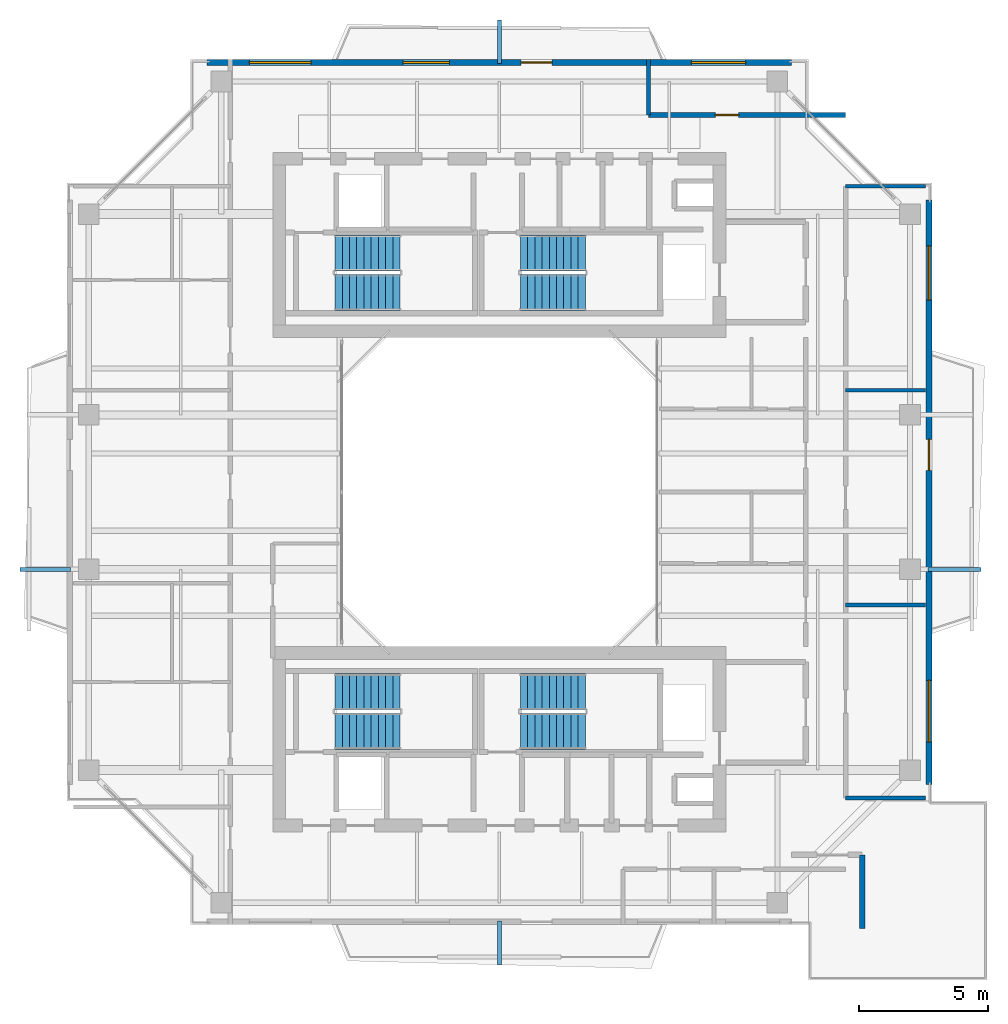
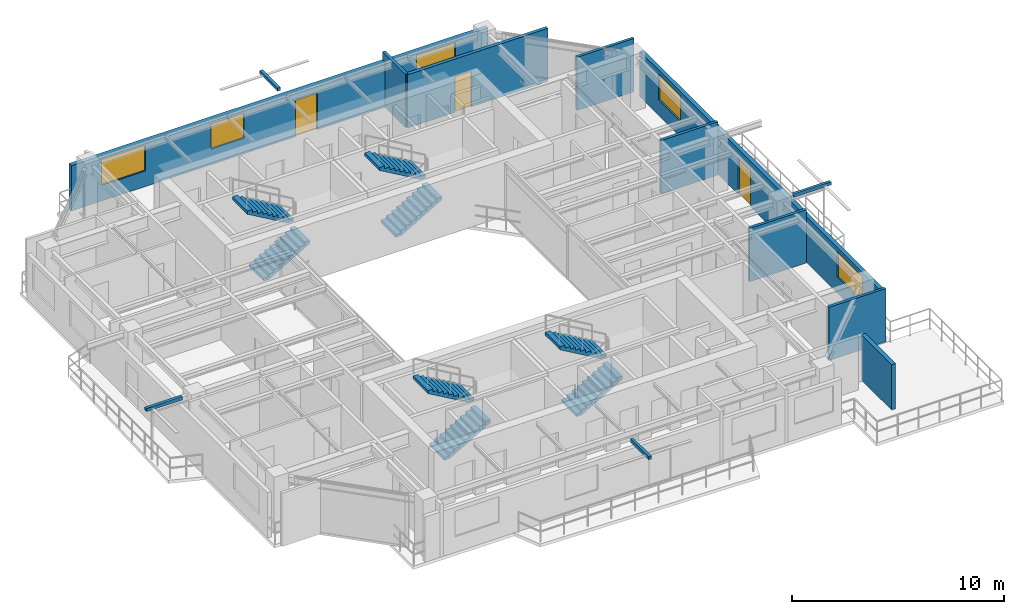
# One storey, part 13 of 16: 9 walls, 8 stair flights, 5 windows, 4 discrete accessories, 3 doors, 8 openings, 4 elements without a shape of their own.
"""IFC4 building model written with IfcOpenShell, lengths in metres."""

from ifc_helpers import new_model, si_unit, direction, frame, frame_2d, origin, origin_2d, place, context, subcontext, project, spatial, polyline, rectangle, outline, extrude, source, transform, mapped, material, layer, layer_set, type_object, element, fill, aggregate, save


model = new_model("IFC4")

# Units and contexts
model_context = context("Model", 3, precision=1e-05, world=origin(), true_north=direction((0.0, 1.0)))
body_context = subcontext(model_context, "Body", "Model", "MODEL_VIEW")
ifc_project = project(units=[si_unit("LENGTHUNIT", "METRE"), si_unit("AREAUNIT", "SQUARE_METRE"), si_unit("VOLUMEUNIT", "CUBIC_METRE"), si_unit("PLANEANGLEUNIT", "RADIAN"), si_unit("MASSUNIT", "GRAM", prefix="KILO"), si_unit("THERMODYNAMICTEMPERATUREUNIT", "KELVIN"), si_unit("POWERUNIT", "WATT")], contexts=[model_context])

# Site, building, storey
site_placement = place(None, origin())
site = spatial("IfcSite", under=ifc_project, at=site_placement, CompositionType="ELEMENT")
building_placement = place(site_placement, origin())
building = spatial("IfcBuilding", under=site, at=building_placement, Name="Qiaomeng Ring Towers", CompositionType="ELEMENT")
storey_placement = place(building_placement, frame((0.0, 0.0, 203.5)))
storey = spatial("IfcBuildingStorey", under=building, at=storey_placement, Name="L59", CompositionType="ELEMENT", Elevation=203.5)

# Wall, openings, windows, door
ifc_material_1 = material(Name="Precast concrete C40", Category="concrete")
ifc_layer_1 = layer(ifc_material_1, 0.219970703125, Name="Precast concrete C40")
ifc_layer_set_1 = layer_set([ifc_layer_1], Name="Precast concrete C40")
wall_type_1 = type_object("IfcWallType", Name="ARC-WL-EW2", PredefinedType="STANDARD", material=ifc_layer_set_1)
wall_1_placement = place(storey_placement, frame((7.64990234375, 39.68994140625, 0.0), z_axis=(0.0, 0.0, 1.0), x_axis=(1.0, 0.0, 0.0)))
wall_1 = element("IfcWall", 1, at=wall_1_placement, inside=storey, type_object=wall_type_1, Name="L59 Tower 1 N Exterior Wall", PredefinedType="STANDARD", context=body_context, shape_type="SweptSolid", body=[
    extrude(rectangle(XDim=22.7001953125, YDim=0.219970703125, at=frame_2d((11.35009765625, 0.0))), origin(), (0.0, 0.0, 1.0), 2.610107421875),
])
opening_1_placement = place(wall_1_placement, frame((12.199951171875, 0.0, 0.0)))
opening_1 = element("IfcOpeningElement", 2, at=opening_1_placement, cuts=wall_1, Name="Opening BD1", PredefinedType="OPENING", context=body_context, shape_type="SweptSolid", body=[
    extrude(rectangle(XDim=1.199951171875, YDim=2.10009765625, at=frame_2d((0.60009765625, 1.050048828125))), frame((0.0, 0.119873046875, 0.0), z_axis=(0.0, -1.0, 0.0), x_axis=(1.0, 0.0, 0.0)), (0.0, 0.0, 1.0), 0.239990234375),
])
opening_2_placement = place(wall_1_placement, frame((1.636962890625, 0.0, 0.89990234375)))
opening_2 = element("IfcOpeningElement", 3, at=opening_2_placement, cuts=wall_1, Name="Opening WN6", PredefinedType="OPENING", context=body_context, shape_type="SweptSolid", body=[
    extrude(rectangle(XDim=2.39990234375, YDim=1.47998046875, at=frame_2d((1.199951171875, 0.739990234375))), frame((0.0, 0.119873046875, 0.0), z_axis=(0.0, -1.0, 0.0), x_axis=(1.0, 0.0, 0.0)), (0.0, 0.0, 1.0), 0.239990234375),
])
opening_3_placement = place(wall_1_placement, frame((7.612060546875, 0.0, 0.89990234375)))
opening_3 = element("IfcOpeningElement", 4, at=opening_3_placement, cuts=wall_1, Name="Opening WN1", PredefinedType="OPENING", context=body_context, shape_type="SweptSolid", body=[
    extrude(rectangle(XDim=1.800048828125, YDim=1.449951171875, at=frame_2d((0.89990234375, 0.72509765625))), frame((0.0, 0.119873046875, 0.0), z_axis=(0.0, -1.0, 0.0), x_axis=(1.0, 0.0, 0.0)), (0.0, 0.0, 1.0), 0.239990234375),
])
opening_4_placement = place(wall_1_placement, frame((18.81201171875, 0.0, 0.89990234375)))
opening_4 = element("IfcOpeningElement", 5, at=opening_4_placement, cuts=wall_1, Name="Opening WN4", PredefinedType="OPENING", context=body_context, shape_type="SweptSolid", body=[
    extrude(rectangle(XDim=2.10009765625, YDim=1.47998046875, at=frame_2d((1.050048828125, 0.739990234375))), frame((0.0, 0.119873046875, 0.0), z_axis=(0.0, -1.0, 0.0), x_axis=(1.0, 0.0, 0.0)), (0.0, 0.0, 1.0), 0.239990234375),
])
ifc_material_2 = material(Name="Low-E dark-grey laminated double glazing", Category="glass")
window_type_1 = type_object("IfcWindowType", Name="ARC-WN-4", PartitioningType="TRIPLE_PANEL_VERTICAL", PredefinedType="WINDOW", material=ifc_material_2)
shared_shape_1 = source(origin(), body_context, "Body", "SweptSolid", [
    extrude(rectangle(XDim=2.10009765625, YDim=1.47998046875, at=frame_2d((1.050048828125, 0.739990234375))), frame((0.0, 0.030029296875, 0.0), z_axis=(0.0, -1.0, 0.0), x_axis=(1.0, 0.0, 0.0)), (0.0, 0.0, 1.0), 0.06005859375),
])
window_1_placement = place(opening_4_placement, origin())
window_1 = element("IfcWindow", 6, at=window_1_placement, inside=storey, type_object=window_type_1, Name="L59 Exterior Window WN4", OverallHeight=1.47998046875, OverallWidth=2.10009765625, PartitioningType="TRIPLE_PANEL_VERTICAL", PredefinedType="WINDOW", context=body_context, shape_type="MappedRepresentation", body=[
    mapped(shared_shape_1, transform((0.0, 0.0, 0.0), x_axis=(1.0, 0.0, 0.0), y_axis=(0.0, 1.0, 0.0), z_axis=(0.0, 0.0, 1.0), scale=1.0)),
])
fill(opening_4, window_1)
window_type_2 = type_object("IfcWindowType", Name="ARC-WN-1", PartitioningType="DOUBLE_PANEL_VERTICAL", PredefinedType="WINDOW", material=ifc_material_2)
shared_shape_2 = source(origin(), body_context, "Body", "SweptSolid", [
    extrude(rectangle(XDim=1.800048828125, YDim=1.449951171875, at=frame_2d((0.89990234375, 0.72509765625))), frame((0.0, 0.030029296875, 0.0), z_axis=(0.0, -1.0, 0.0), x_axis=(1.0, 0.0, 0.0)), (0.0, 0.0, 1.0), 0.06005859375),
])
window_2_placement = place(opening_3_placement, origin())
window_2 = element("IfcWindow", 7, at=window_2_placement, inside=storey, type_object=window_type_2, Name="L59 Exterior Window WN1", OverallHeight=1.449951171875, OverallWidth=1.800048828125, PartitioningType="DOUBLE_PANEL_VERTICAL", PredefinedType="WINDOW", context=body_context, shape_type="MappedRepresentation", body=[
    mapped(shared_shape_2, transform((0.0, 0.0, 0.0), x_axis=(1.0, 0.0, 0.0), y_axis=(0.0, 1.0, 0.0), z_axis=(0.0, 0.0, 1.0), scale=1.0)),
])
fill(opening_3, window_2)
window_type_3 = type_object("IfcWindowType", Name="ARC-WN-6", PartitioningType="TRIPLE_PANEL_VERTICAL", PredefinedType="WINDOW", material=ifc_material_2)
shared_shape_3 = source(origin(), body_context, "Body", "SweptSolid", [
    extrude(rectangle(XDim=2.39990234375, YDim=1.47998046875, at=frame_2d((1.199951171875, 0.739990234375))), frame((0.0, 0.030029296875, 0.0), z_axis=(0.0, -1.0, 0.0), x_axis=(1.0, 0.0, 0.0)), (0.0, 0.0, 1.0), 0.06005859375),
])
window_3_placement = place(opening_2_placement, origin())
window_3 = element("IfcWindow", 8, at=window_3_placement, inside=storey, type_object=window_type_3, Name="L59 Exterior Window WN6", OverallHeight=1.47998046875, OverallWidth=2.39990234375, PartitioningType="TRIPLE_PANEL_VERTICAL", PredefinedType="WINDOW", context=body_context, shape_type="MappedRepresentation", body=[
    mapped(shared_shape_3, transform((0.0, 0.0, 0.0), x_axis=(1.0, 0.0, 0.0), y_axis=(0.0, 1.0, 0.0), z_axis=(0.0, 0.0, 1.0), scale=1.0)),
])
fill(opening_2, window_3)
door_type_1 = type_object("IfcDoorType", Name="ARC-DR-BD1", OperationType="NOTDEFINED", PredefinedType="DOOR", material=ifc_material_2)
shared_shape_4 = source(origin(), body_context, "Body", "SweptSolid", [
    extrude(rectangle(XDim=1.199951171875, YDim=2.10009765625, at=frame_2d((0.60009765625, 1.050048828125))), frame((0.0, 0.02490234375, 0.0), z_axis=(0.0, -1.0, 0.0), x_axis=(1.0, 0.0, 0.0)), (0.0, 0.0, 1.0), 0.050048828125),
])
door_1_placement = place(opening_1_placement, origin())
door_1 = element("IfcDoor", 9, at=door_1_placement, inside=storey, type_object=door_type_1, Name="L59 N Balcony Glazed Door", OperationType="SINGLE_SWING_LEFT", OverallHeight=2.10009765625, OverallWidth=1.199951171875, PredefinedType="DOOR", context=body_context, shape_type="MappedRepresentation", body=[
    mapped(shared_shape_4, transform((0.0, 0.0, 0.0), x_axis=(1.0, 0.0, 0.0), y_axis=(0.0, 1.0, 0.0), z_axis=(0.0, 0.0, 1.0), scale=1.0)),
])
fill(opening_1, door_1)

wall_2_placement = place(storey_placement, frame((35.68994140625, 11.64990234375, 0.0), z_axis=(0.0, 0.0, 1.0), x_axis=(0.0, 1.0, 0.0)))
wall_2 = element("IfcWall", 10, at=wall_2_placement, inside=storey, type_object=wall_type_1, Name="L59 Tower 1 E Exterior Wall", PredefinedType="STANDARD", context=body_context, shape_type="SweptSolid", body=[
    extrude(rectangle(XDim=22.7001953125, YDim=0.219970703125, at=frame_2d((11.35009765625, 0.0))), origin(), (0.0, 0.0, 1.0), 2.610107421875),
])
opening_5_placement = place(wall_2_placement, frame((12.199951171875, 0.0, 0.0)))
opening_5 = element("IfcOpeningElement", 11, at=opening_5_placement, cuts=wall_2, Name="Opening BD1", PredefinedType="OPENING", context=body_context, shape_type="SweptSolid", body=[
    extrude(rectangle(XDim=1.199951171875, YDim=2.10009765625, at=frame_2d((0.60009765625, 1.050048828125))), frame((0.0, 0.119873046875, 0.0), z_axis=(0.0, -1.0, 0.0), x_axis=(1.0, 0.0, 0.0)), (0.0, 0.0, 1.0), 0.239990234375),
])
opening_6_placement = place(wall_2_placement, frame((1.637939453125, 0.0, 0.89990234375)))
opening_6 = element("IfcOpeningElement", 12, at=opening_6_placement, cuts=wall_2, Name="Opening WN6", PredefinedType="OPENING", context=body_context, shape_type="SweptSolid", body=[
    extrude(rectangle(XDim=2.39990234375, YDim=1.47998046875, at=frame_2d((1.199951171875, 0.739990234375))), frame((0.0, 0.119873046875, 0.0), z_axis=(0.0, -1.0, 0.0), x_axis=(1.0, 0.0, 0.0)), (0.0, 0.0, 1.0), 0.239990234375),
])
opening_7_placement = place(wall_2_placement, frame((18.81298828125, 0.0, 0.89990234375)))
opening_7 = element("IfcOpeningElement", 13, at=opening_7_placement, cuts=wall_2, Name="Opening WN4", PredefinedType="OPENING", context=body_context, shape_type="SweptSolid", body=[
    extrude(rectangle(XDim=2.10009765625, YDim=1.47998046875, at=frame_2d((1.050048828125, 0.739990234375))), frame((0.0, 0.119873046875, 0.0), z_axis=(0.0, -1.0, 0.0), x_axis=(1.0, 0.0, 0.0)), (0.0, 0.0, 1.0), 0.239990234375),
])
window_4_placement = place(opening_7_placement, origin())
window_4 = element("IfcWindow", 14, at=window_4_placement, inside=storey, type_object=window_type_1, Name="L59 Exterior Window WN4", OverallHeight=1.47998046875, OverallWidth=2.10009765625, PartitioningType="TRIPLE_PANEL_VERTICAL", PredefinedType="WINDOW", context=body_context, shape_type="MappedRepresentation", body=[
    mapped(shared_shape_1, transform((0.0, 0.0, 0.0), x_axis=(1.0, 0.0, 0.0), y_axis=(0.0, 1.0, 0.0), z_axis=(0.0, 0.0, 1.0), scale=1.0)),
])
fill(opening_7, window_4)
window_5_placement = place(opening_6_placement, origin())
window_5 = element("IfcWindow", 15, at=window_5_placement, inside=storey, type_object=window_type_3, Name="L59 Exterior Window WN6", OverallHeight=1.47998046875, OverallWidth=2.39990234375, PartitioningType="TRIPLE_PANEL_VERTICAL", PredefinedType="WINDOW", context=body_context, shape_type="MappedRepresentation", body=[
    mapped(shared_shape_3, transform((0.0, 0.0, 0.0), x_axis=(1.0, 0.0, 0.0), y_axis=(0.0, 1.0, 0.0), z_axis=(0.0, 0.0, 1.0), scale=1.0)),
])
fill(opening_6, window_5)
door_2_placement = place(opening_5_placement, origin())
door_2 = element("IfcDoor", 16, at=door_2_placement, inside=storey, type_object=door_type_1, Name="L59 E Balcony Glazed Door", OperationType="SINGLE_SWING_LEFT", OverallHeight=2.10009765625, OverallWidth=1.199951171875, PredefinedType="DOOR", context=body_context, shape_type="MappedRepresentation", body=[
    mapped(shared_shape_4, transform((0.0, 0.0, 0.0), x_axis=(1.0, 0.0, 0.0), y_axis=(0.0, 1.0, 0.0), z_axis=(0.0, 0.0, 1.0), scale=1.0)),
])
fill(opening_5, door_2)

# Wall
wall_3_placement = place(storey_placement, frame((33.090087890625, 6.050048828125, 0.0), z_axis=(0.0, 0.0, 1.0), x_axis=(0.0, 1.0, 0.0)))
element("IfcWall", 17, at=wall_3_placement, inside=storey, type_object=wall_type_1, Name="L59 Spiral Terrace Return Wall SE", PredefinedType="STANDARD", context=body_context, shape_type="SweptSolid", body=[
    extrude(rectangle(XDim=2.85986328125, YDim=0.219970703125, at=frame_2d((1.429931640625, 0.0))), origin(), (0.0, 0.0, 1.0), 2.610107421875),
])

# Wall, opening, door
ifc_material_3 = material(Name="Autoclaved aerated concrete block", Category="concrete")
ifc_layer_2 = layer(ifc_material_3, 0.179931640625, Name="Autoclaved aerated concrete block")
ifc_layer_set_2 = layer_set([ifc_layer_2], Name="Autoclaved aerated concrete block")
wall_type_2 = type_object("IfcWallType", Name="ARC-WL-PW2", PredefinedType="PARTITIONING", material=ifc_layer_set_2)
wall_4_placement = place(storey_placement, frame((24.800048828125, 37.64990234375, 0.0), z_axis=(0.0, 0.0, 1.0), x_axis=(1.0, 0.0, 0.0)))
wall_4 = element("IfcWall", 18, at=wall_4_placement, inside=storey, type_object=wall_type_2, Name="L59 Interior Wall PW2", PredefinedType="PARTITIONING", context=body_context, shape_type="SweptSolid", body=[
    extrude(rectangle(XDim=7.64990234375, YDim=0.179931640625, at=frame_2d((3.824951171875, 0.0))), origin(), (0.0, 0.0, 1.0), 3.070068359375),
])
opening_8_placement = place(wall_4_placement, frame((2.590087890625, 0.0, 0.0)))
opening_8 = element("IfcOpeningElement", 19, at=opening_8_placement, cuts=wall_4, Name="Opening ID1", PredefinedType="OPENING", context=body_context, shape_type="SweptSolid", body=[
    extrude(rectangle(XDim=0.89990234375, YDim=2.050048828125, at=frame_2d((0.449951171875, 1.02490234375))), frame((0.0, 0.099853515625, 0.0), z_axis=(0.0, -1.0, 0.0), x_axis=(1.0, 0.0, 0.0)), (0.0, 0.0, 1.0), 0.199951171875),
])
ifc_material_4 = material(Name="Engineered oak timber", Category="wood")
door_type_2 = type_object("IfcDoorType", Name="ARC-DR-ID1", OperationType="NOTDEFINED", PredefinedType="DOOR", material=ifc_material_4)
shared_shape_5 = source(origin(), body_context, "Body", "SweptSolid", [
    extrude(rectangle(XDim=0.89990234375, YDim=2.050048828125, at=frame_2d((0.449951171875, 1.02490234375))), frame((0.0, 0.02490234375, 0.0), z_axis=(0.0, -1.0, 0.0), x_axis=(1.0, 0.0, 0.0)), (0.0, 0.0, 1.0), 0.050048828125),
])
door_3_placement = place(opening_8_placement, origin())
door_3 = element("IfcDoor", 20, at=door_3_placement, inside=storey, type_object=door_type_2, Name="L59 Door ID1", OperationType="SINGLE_SWING_LEFT", OverallHeight=2.050048828125, OverallWidth=0.89990234375, PredefinedType="DOOR", context=body_context, shape_type="MappedRepresentation", body=[
    mapped(shared_shape_5, transform((0.0, 0.0, 0.0), x_axis=(1.0, 0.0, 0.0), y_axis=(0.0, 1.0, 0.0), z_axis=(0.0, 0.0, 1.0), scale=1.0)),
])
fill(opening_8, door_3)

# Walls
ifc_material_5 = material(Name="Gypsum fireboard steel-stud partition", Category="steel")
ifc_layer_3 = layer(ifc_material_5, 0.14990234375, Name="Gypsum fireboard steel-stud partition")
ifc_layer_set_3 = layer_set([ifc_layer_3], Name="Gypsum fireboard steel-stud partition")
wall_type_3 = type_object("IfcWallType", Name="ARC-WL-PW3", PredefinedType="PARTITIONING", material=ifc_layer_set_3)
wall_5_placement = place(storey_placement, frame((24.800048828125, 37.64990234375, 0.0), z_axis=(0.0, 0.0, 1.0), x_axis=(0.0, 1.0, 0.0)))
element("IfcWall", 21, at=wall_5_placement, inside=storey, type_object=wall_type_3, Name="L59 Interior Wall PW3", PredefinedType="PARTITIONING", context=body_context, shape_type="SweptSolid", body=[
    extrude(rectangle(XDim=2.150146484375, YDim=0.14990234375, at=frame_2d((1.0751953125, 0.0))), origin(), (0.0, 0.0, 1.0), 3.070068359375),
])
for number, where, z_axis, x_axis, name in (
    (22, (32.449951171875, 34.8798828125, 0.0), (0.0, 0.0, 1.0), (1.0, 0.0, 0.0), "L59 Interior Wall PW3"),
    (23, (32.449951171875, 11.1201171875, 0.0), (0.0, 0.0, 1.0), (1.0, 0.0, 0.0), "L59 Interior Wall PW3"),
    (24, (32.449951171875, 18.610107421875, 0.0), (0.0, 0.0, 1.0), (1.0, 0.0, 0.0), "L59 Interior Wall PW3"),
    (25, (32.449951171875, 26.9599609375, 0.0), (0.0, 0.0, 1.0), (1.0, 0.0, 0.0), "L59 Interior Wall PW3"),
):
    element("IfcWall", number, at=place(storey_placement, frame(where, z_axis=z_axis, x_axis=x_axis)), inside=storey, type_object=wall_type_3, Name=name, PredefinedType="PARTITIONING", context=body_context, shape_type="SweptSolid", body=[
        extrude(rectangle(XDim=3.10009765625, YDim=0.14990234375, at=frame_2d((1.550048828125, 0.0))), origin(), (0.0, 0.0, 1.0), 3.070068359375),
    ])

# Stair, stair flights
stair_type = type_object("IfcStairType", Name="ARC-ST-325", PredefinedType="HALF_TURN_STAIR", material=ifc_material_1)
stair_1_placement = place(storey_placement, origin())
stair_1 = element("IfcStair", 26, at=stair_1_placement, inside=storey, type_object=stair_type, Name="L59 Tower 1 North Stair 1", PredefinedType="HALF_TURN_STAIR")
stair_flight_type = type_object("IfcStairFlightType", Name="ARC-ST-325-FL", PredefinedType="STRAIGHT", material=ifc_material_1)
shared_shape_6 = source(origin(), body_context, "Body", "SweptSolid", [
    extrude(outline(polyline([(0.0, 0.0), (0.0, 0.16259765625), (0.280029296875, 0.16259765625), (0.280029296875, 0.324951171875), (0.56005859375, 0.324951171875), (0.56005859375, 0.487548828125), (0.840087890625, 0.487548828125), (0.840087890625, 0.64990234375), (1.1201171875, 0.64990234375), (1.1201171875, 0.8125), (1.39990234375, 0.8125), (1.39990234375, 0.97509765625), (1.679931640625, 0.97509765625), (1.679931640625, 1.137451171875), (1.9599609375, 1.137451171875), (1.9599609375, 1.300048828125), (2.239990234375, 1.300048828125), (2.239990234375, 1.46240234375), (2.52001953125, 1.46240234375), (2.52001953125, 1.625), (2.52001953125, 1.2890625), (0.298583984375, 0.0), (0.0, 0.0)])), frame((0.0, 0.699951171875, 0.0), z_axis=(0.0, -1.0, 0.0), x_axis=(1.0, 0.0, 0.0)), (0.0, 0.0, 1.0), 1.39990234375),
])
stair_flight_1_placement = place(storey_placement, frame((12.6201171875, 30.75, 0.0), z_axis=(0.0, 0.0, 1.0), x_axis=(1.0, 0.0, 0.0)))
stair_flight_1 = element("IfcStairFlight", 27, at=stair_flight_1_placement, type_object=stair_flight_type, Name="ST1 flight 1", NumberOfRisers=10, NumberOfTreads=9, PredefinedType="STRAIGHT", RiserHeight=0.1625, TreadLength=0.28, context=body_context, shape_type="MappedRepresentation", body=[
    mapped(shared_shape_6, transform((0.0, 0.0, 0.0), x_axis=(1.0, 0.0, 0.0), y_axis=(0.0, 1.0, 0.0), z_axis=(0.0, 0.0, 1.0), scale=1.0)),
])
stair_flight_2_placement = place(storey_placement, frame((15.139892578125, 32.2900390625, 1.625), z_axis=(0.0, 0.0, 1.0), x_axis=(-1.0, 0.0, 0.0)))
stair_flight_2 = element("IfcStairFlight", 28, at=stair_flight_2_placement, type_object=stair_flight_type, Name="ST1 flight 2", NumberOfRisers=10, NumberOfTreads=9, PredefinedType="STRAIGHT", RiserHeight=0.1625, TreadLength=0.28, context=body_context, shape_type="MappedRepresentation", body=[
    mapped(shared_shape_6, transform((0.0, 0.0, 0.0), x_axis=(1.0, 0.0, 0.0), y_axis=(0.0, 1.0, 0.0), z_axis=(0.0, 0.0, 1.0), scale=1.0)),
])
aggregate(stair_1, [stair_flight_1, stair_flight_2])

stair_2_placement = place(storey_placement, origin())
stair_2 = element("IfcStair", 29, at=stair_2_placement, inside=storey, type_object=stair_type, Name="L59 Tower 1 North Stair 2", PredefinedType="HALF_TURN_STAIR")
stair_flight_3_placement = place(storey_placement, frame((19.820068359375, 30.75, 0.0), z_axis=(0.0, 0.0, 1.0), x_axis=(1.0, 0.0, 0.0)))
stair_flight_3 = element("IfcStairFlight", 30, at=stair_flight_3_placement, type_object=stair_flight_type, Name="ST2 flight 1", NumberOfRisers=10, NumberOfTreads=9, PredefinedType="STRAIGHT", RiserHeight=0.1625, TreadLength=0.28, context=body_context, shape_type="MappedRepresentation", body=[
    mapped(shared_shape_6, transform((0.0, 0.0, 0.0), x_axis=(1.0, 0.0, 0.0), y_axis=(0.0, 1.0, 0.0), z_axis=(0.0, 0.0, 1.0), scale=1.0)),
])
stair_flight_4_placement = place(storey_placement, frame((22.340087890625, 32.2900390625, 1.625), z_axis=(0.0, 0.0, 1.0), x_axis=(-1.0, 0.0, 0.0)))
stair_flight_4 = element("IfcStairFlight", 31, at=stair_flight_4_placement, type_object=stair_flight_type, Name="ST2 flight 2", NumberOfRisers=10, NumberOfTreads=9, PredefinedType="STRAIGHT", RiserHeight=0.1625, TreadLength=0.28, context=body_context, shape_type="MappedRepresentation", body=[
    mapped(shared_shape_6, transform((0.0, 0.0, 0.0), x_axis=(1.0, 0.0, 0.0), y_axis=(0.0, 1.0, 0.0), z_axis=(0.0, 0.0, 1.0), scale=1.0)),
])
aggregate(stair_2, [stair_flight_3, stair_flight_4])

stair_3_placement = place(storey_placement, origin())
stair_3 = element("IfcStair", 32, at=stair_3_placement, inside=storey, type_object=stair_type, Name="L59 Tower 1 South Stair 3", PredefinedType="HALF_TURN_STAIR")
stair_flight_5_placement = place(storey_placement, frame((12.6201171875, 13.7099609375, 0.0), z_axis=(0.0, 0.0, 1.0), x_axis=(1.0, 0.0, 0.0)))
stair_flight_5 = element("IfcStairFlight", 33, at=stair_flight_5_placement, type_object=stair_flight_type, Name="ST3 flight 1", NumberOfRisers=10, NumberOfTreads=9, PredefinedType="STRAIGHT", RiserHeight=0.1625, TreadLength=0.28, context=body_context, shape_type="MappedRepresentation", body=[
    mapped(shared_shape_6, transform((0.0, 0.0, 0.0), x_axis=(1.0, 0.0, 0.0), y_axis=(0.0, 1.0, 0.0), z_axis=(0.0, 0.0, 1.0), scale=1.0)),
])
stair_flight_6_placement = place(storey_placement, frame((15.139892578125, 15.25, 1.625), z_axis=(0.0, 0.0, 1.0), x_axis=(-1.0, 0.0, 0.0)))
stair_flight_6 = element("IfcStairFlight", 34, at=stair_flight_6_placement, type_object=stair_flight_type, Name="ST3 flight 2", NumberOfRisers=10, NumberOfTreads=9, PredefinedType="STRAIGHT", RiserHeight=0.1625, TreadLength=0.28, context=body_context, shape_type="MappedRepresentation", body=[
    mapped(shared_shape_6, transform((0.0, 0.0, 0.0), x_axis=(1.0, 0.0, 0.0), y_axis=(0.0, 1.0, 0.0), z_axis=(0.0, 0.0, 1.0), scale=1.0)),
])
aggregate(stair_3, [stair_flight_5, stair_flight_6])

stair_4_placement = place(storey_placement, origin())
stair_4 = element("IfcStair", 35, at=stair_4_placement, inside=storey, type_object=stair_type, Name="L59 Tower 1 South Stair 4", PredefinedType="HALF_TURN_STAIR")
stair_flight_7_placement = place(storey_placement, frame((19.820068359375, 13.7099609375, 0.0), z_axis=(0.0, 0.0, 1.0), x_axis=(1.0, 0.0, 0.0)))
stair_flight_7 = element("IfcStairFlight", 36, at=stair_flight_7_placement, type_object=stair_flight_type, Name="ST4 flight 1", NumberOfRisers=10, NumberOfTreads=9, PredefinedType="STRAIGHT", RiserHeight=0.1625, TreadLength=0.28, context=body_context, shape_type="MappedRepresentation", body=[
    mapped(shared_shape_6, transform((0.0, 0.0, 0.0), x_axis=(1.0, 0.0, 0.0), y_axis=(0.0, 1.0, 0.0), z_axis=(0.0, 0.0, 1.0), scale=1.0)),
])
stair_flight_8_placement = place(storey_placement, frame((22.340087890625, 15.25, 1.625), z_axis=(0.0, 0.0, 1.0), x_axis=(-1.0, 0.0, 0.0)))
stair_flight_8 = element("IfcStairFlight", 37, at=stair_flight_8_placement, type_object=stair_flight_type, Name="ST4 flight 2", NumberOfRisers=10, NumberOfTreads=9, PredefinedType="STRAIGHT", RiserHeight=0.1625, TreadLength=0.28, context=body_context, shape_type="MappedRepresentation", body=[
    mapped(shared_shape_6, transform((0.0, 0.0, 0.0), x_axis=(1.0, 0.0, 0.0), y_axis=(0.0, 1.0, 0.0), z_axis=(0.0, 0.0, 1.0), scale=1.0)),
])
aggregate(stair_4, [stair_flight_7, stair_flight_8])

# Discrete accessories
ifc_material_6 = material(Name="Stainless steel 316", Category="steel")
discrete_accessory_type = type_object("IfcDiscreteAccessoryType", Name="ARC-ACC-BRACKET", PredefinedType="BRACKET", material=ifc_material_6)
shared_shape_7 = source(origin(), body_context, "Body", "SweptSolid", [
    extrude(rectangle(XDim=2.050048828125, YDim=0.159912109375, at=origin_2d()), origin(), (0.0, 0.0, 1.0), 0.179931640625),
])
discrete_accessory_1_placement = place(storey_placement, frame((36.675048828125, 20.0, 2.89990234375), z_axis=(0.0, 0.0, 1.0), x_axis=(1.0, 0.0, 0.0)))
element("IfcDiscreteAccessory", 38, at=discrete_accessory_1_placement, inside=storey, type_object=discrete_accessory_type, Name="L59 Stainless Outer-Skin Tie Bracket E", PredefinedType="BRACKET", context=body_context, shape_type="MappedRepresentation", body=[
    mapped(shared_shape_7, transform((0.0, 0.0, 0.0), x_axis=(1.0, 0.0, 0.0), y_axis=(0.0, 1.0, 0.0), z_axis=(0.0, 0.0, 1.0), scale=1.0)),
])
shared_shape_8 = source(origin(), body_context, "Body", "SweptSolid", [
    extrude(rectangle(XDim=0.159912109375, YDim=1.7099609375, at=origin_2d()), origin(), (0.0, 0.0, 1.0), 0.179931640625),
])
discrete_accessory_2_placement = place(storey_placement, frame((19.0, 5.4951171875, 2.89990234375), z_axis=(0.0, 0.0, 1.0), x_axis=(1.0, 0.0, 0.0)))
element("IfcDiscreteAccessory", 39, at=discrete_accessory_2_placement, inside=storey, type_object=discrete_accessory_type, Name="L59 Stainless Outer-Skin Tie Bracket S", PredefinedType="BRACKET", context=body_context, shape_type="MappedRepresentation", body=[
    mapped(shared_shape_8, transform((0.0, 0.0, 0.0), x_axis=(1.0, 0.0, 0.0), y_axis=(0.0, 1.0, 0.0), z_axis=(0.0, 0.0, 1.0), scale=1.0)),
])
shared_shape_9 = source(origin(), body_context, "Body", "SweptSolid", [
    extrude(rectangle(XDim=0.159912109375, YDim=1.68994140625, at=origin_2d()), origin(), (0.0, 0.0, 1.0), 0.179931640625),
])
discrete_accessory_3_placement = place(storey_placement, frame((19.0, 40.4951171875, 2.89990234375), z_axis=(0.0, 0.0, 1.0), x_axis=(1.0, 0.0, 0.0)))
element("IfcDiscreteAccessory", 40, at=discrete_accessory_3_placement, inside=storey, type_object=discrete_accessory_type, Name="L59 Stainless Outer-Skin Tie Bracket N", PredefinedType="BRACKET", context=body_context, shape_type="MappedRepresentation", body=[
    mapped(shared_shape_9, transform((0.0, 0.0, 0.0), x_axis=(1.0, 0.0, 0.0), y_axis=(0.0, 1.0, 0.0), z_axis=(0.0, 0.0, 1.0), scale=1.0)),
])
shared_shape_10 = source(origin(), body_context, "Body", "SweptSolid", [
    extrude(rectangle(XDim=1.969970703125, YDim=0.159912109375, at=origin_2d()), origin(), (0.0, 0.0, 1.0), 0.179931640625),
])
discrete_accessory_4_placement = place(storey_placement, frame((1.364990234375, 20.0, 2.89990234375), z_axis=(0.0, 0.0, 1.0), x_axis=(1.0, 0.0, 0.0)))
element("IfcDiscreteAccessory", 41, at=discrete_accessory_4_placement, inside=storey, type_object=discrete_accessory_type, Name="L59 Stainless Outer-Skin Tie Bracket W", PredefinedType="BRACKET", context=body_context, shape_type="MappedRepresentation", body=[
    mapped(shared_shape_10, transform((0.0, 0.0, 0.0), x_axis=(1.0, 0.0, 0.0), y_axis=(0.0, 1.0, 0.0), z_axis=(0.0, 0.0, 1.0), scale=1.0)),
])

save(model, "model.ifc")
